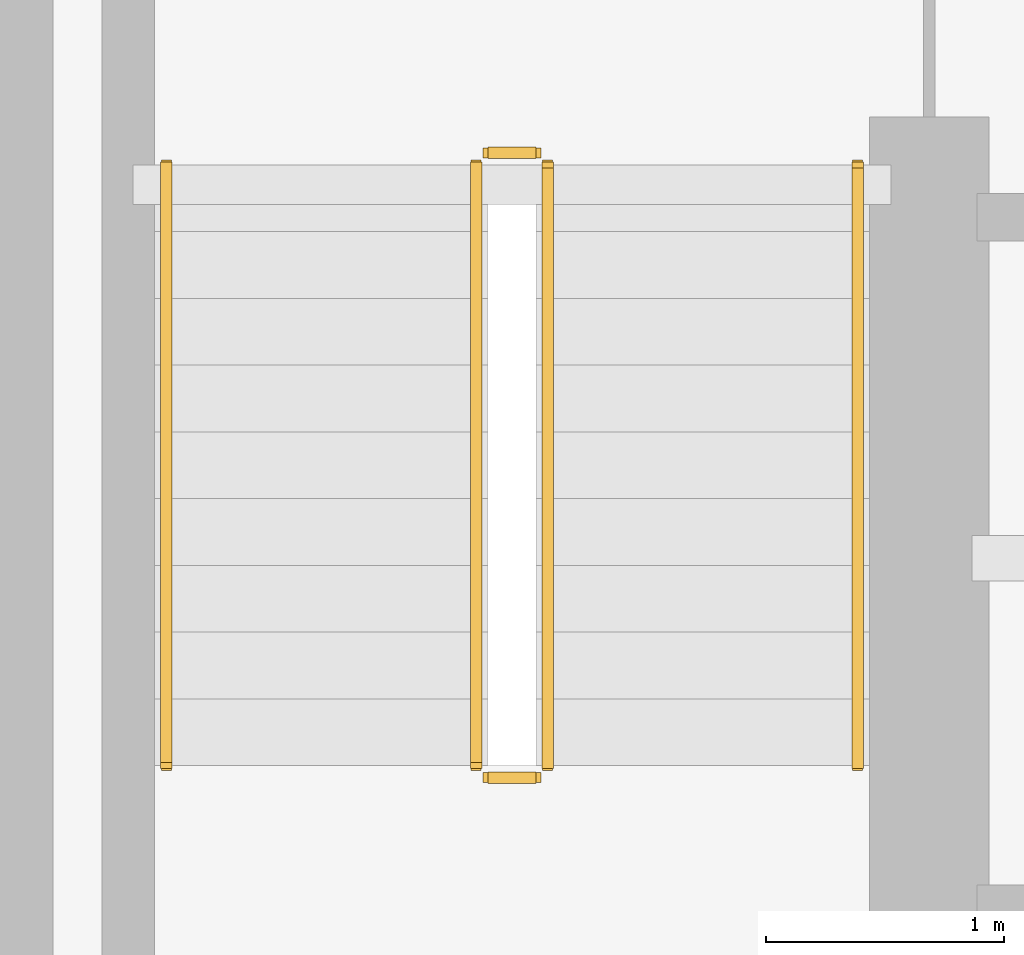
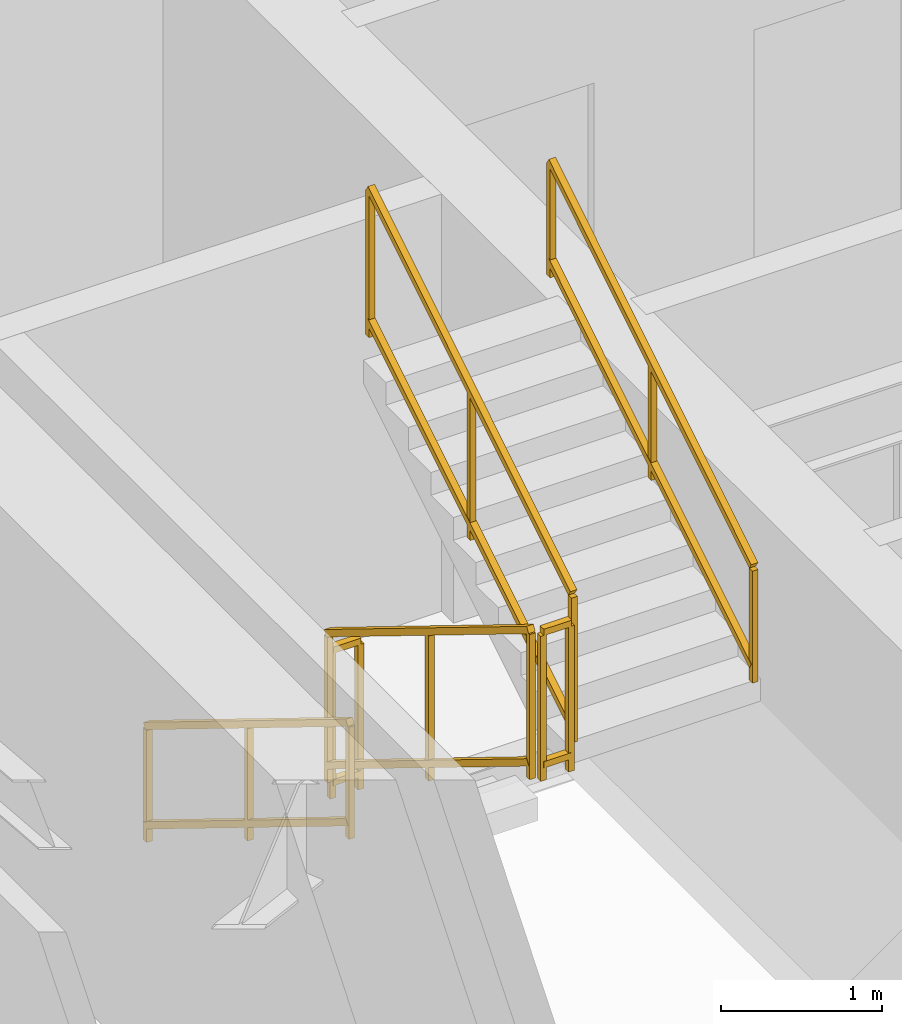
# One storey, part 28 of 31: 6 railings.
"""IFC4 building model written with IfcOpenShell, lengths in metres."""

from ifc_helpers import new_model, si_unit, direction, frame, origin, origin_2d, place, context, subcontext, project, spatial, rectangle, extrude, material, type_object, element, save


model = new_model("IFC4")

# Units and contexts
model_context = context("Model", 3, precision=1e-05, world=origin(), true_north=direction((0.0, 1.0)))
body_context = subcontext(model_context, "Body", "Model", "MODEL_VIEW")
ifc_project = project(units=[si_unit("LENGTHUNIT", "METRE"), si_unit("AREAUNIT", "SQUARE_METRE"), si_unit("VOLUMEUNIT", "CUBIC_METRE"), si_unit("PLANEANGLEUNIT", "RADIAN"), si_unit("MASSUNIT", "GRAM", prefix="KILO")], contexts=[model_context])

# Site, building, storey
site_placement = place(None, origin())
site = spatial("IfcSite", under=ifc_project, at=site_placement, CompositionType="ELEMENT")
building_placement = place(site_placement, origin())
building = spatial("IfcBuilding", under=site, at=building_placement, Name="Qarnah Convention Tower", CompositionType="ELEMENT")
storey_placement = place(building_placement, frame((0.0, 0.0, 64.949951171875)))
storey = spatial("IfcBuildingStorey", under=building, at=storey_placement, Name="L16", CompositionType="ELEMENT", Elevation=64.949951171875)

# Railings
ifc_material = material(Name="Structural steel S355JR", Category="steel")
railing_type_1 = type_object("IfcRailingType", Name="RL-STAIR-GUARD-1150", PredefinedType="GUARDRAIL", material=ifc_material)
railing_1_placement = place(storey_placement, frame((28.89990234375, 25.300048828125, 0.172607421875)))
element("IfcRailing", 1, at=railing_1_placement, inside=storey, type_object=railing_type_1, Name="L16 ST-1 stair guard 1", PredefinedType="GUARDRAIL", context=body_context, shape_type="SweptSolid", body=[
    extrude(rectangle(XDim=0.048095703125, YDim=0.048095703125, at=origin_2d()), frame((0.0, 0.0, 1.1259765625), z_axis=(0.0, -0.851400495292, 0.524516154772), x_axis=(1.0, 0.0, 0.0)), (0.0, 0.0, 1.0), 2.9599609375),
    extrude(rectangle(XDim=0.048095703125, YDim=0.048095703125, at=origin_2d()), frame((0.0, 0.0, 0.1201171875), z_axis=(0.0, -0.851400495292, 0.524516154772), x_axis=(1.0, 0.0, 0.0)), (0.0, 0.0, 1.0), 2.9599609375),
    extrude(rectangle(XDim=0.0419921875, YDim=0.0419921875, at=origin_2d()), origin(), (0.0, 0.0, 1.0), 1.101806640625),
    extrude(rectangle(XDim=0.0419921875, YDim=0.0419921875, at=origin_2d()), frame((0.0, -1.260009765625, 0.7763671875)), (0.0, 0.0, 1.0), 1.101806640625),
    extrude(rectangle(XDim=0.0419921875, YDim=0.0419921875, at=origin_2d()), frame((0.0, -2.52001953125, 1.552490234375)), (0.0, 0.0, 1.0), 1.101806640625),
])
railing_2_placement = place(storey_placement, frame((28.949951171875, 22.72998046875, 1.72509765625)))
element("IfcRailing", 2, at=railing_2_placement, inside=storey, type_object=railing_type_1, Name="L16 ST-1 stair guard 2", PredefinedType="GUARDRAIL", context=body_context, shape_type="SweptSolid", body=[
    extrude(rectangle(XDim=0.048095703125, YDim=0.048095703125, at=origin_2d()), frame((0.0, 0.0, 1.1259765625), z_axis=(1.0, 0.0, 0.0), x_axis=(0.0, 1.0, 0.0)), (0.0, 0.0, 1.0), 0.199951171875),
    extrude(rectangle(XDim=0.048095703125, YDim=0.048095703125, at=origin_2d()), frame((0.0, 0.0, 0.1201171875), z_axis=(1.0, 0.0, 0.0), x_axis=(0.0, 1.0, 0.0)), (0.0, 0.0, 1.0), 0.199951171875),
    extrude(rectangle(XDim=0.0419921875, YDim=0.0419921875, at=origin_2d()), origin(), (0.0, 0.0, 1.0), 1.101806640625),
    extrude(rectangle(XDim=0.0419921875, YDim=0.0419921875, at=origin_2d()), frame((0.199951171875, 0.0, 0.0)), (0.0, 0.0, 1.0), 1.101806640625),
])
railing_3_placement = place(storey_placement, frame((29.199951171875, 22.780029296875, 1.8974609375)))
element("IfcRailing", 3, at=railing_3_placement, inside=storey, type_object=railing_type_1, Name="L16 ST-1 stair guard 3", PredefinedType="GUARDRAIL", context=body_context, shape_type="SweptSolid", body=[
    extrude(rectangle(XDim=0.048095703125, YDim=0.048095703125, at=origin_2d()), frame((0.0, 0.0, 1.1259765625), z_axis=(0.0, 0.851400495292, 0.524516154772), x_axis=(-1.0, 0.0, 0.0)), (0.0, 0.0, 1.0), 2.9599609375),
    extrude(rectangle(XDim=0.048095703125, YDim=0.048095703125, at=origin_2d()), frame((0.0, 0.0, 0.1201171875), z_axis=(0.0, 0.851400495292, 0.524516154772), x_axis=(-1.0, 0.0, 0.0)), (0.0, 0.0, 1.0), 2.9599609375),
    extrude(rectangle(XDim=0.0419921875, YDim=0.0419921875, at=origin_2d()), origin(), (0.0, 0.0, 1.0), 1.101806640625),
    extrude(rectangle(XDim=0.0419921875, YDim=0.0419921875, at=origin_2d()), frame((0.0, 1.260009765625, 0.7763671875)), (0.0, 0.0, 1.0), 1.101806640625),
    extrude(rectangle(XDim=0.0419921875, YDim=0.0419921875, at=origin_2d()), frame((0.0, 2.52001953125, 1.552490234375)), (0.0, 0.0, 1.0), 1.101806640625),
])
railing_4_placement = place(storey_placement, frame((28.949951171875, 25.35009765625, 0.0)))
element("IfcRailing", 4, at=railing_4_placement, inside=storey, type_object=railing_type_1, Name="L16 ST-1 stair guard 4", PredefinedType="GUARDRAIL", context=body_context, shape_type="SweptSolid", body=[
    extrude(rectangle(XDim=0.048095703125, YDim=0.048095703125, at=origin_2d()), frame((0.0, 0.0, 1.1259765625), z_axis=(1.0, 0.0, 0.0), x_axis=(0.0, 1.0, 0.0)), (0.0, 0.0, 1.0), 0.199951171875),
    extrude(rectangle(XDim=0.048095703125, YDim=0.048095703125, at=origin_2d()), frame((0.0, 0.0, 0.1201171875), z_axis=(1.0, 0.0, 0.0), x_axis=(0.0, 1.0, 0.0)), (0.0, 0.0, 1.0), 0.199951171875),
    extrude(rectangle(XDim=0.0419921875, YDim=0.0419921875, at=origin_2d()), origin(), (0.0, 0.0, 1.0), 1.101806640625),
    extrude(rectangle(XDim=0.0419921875, YDim=0.0419921875, at=origin_2d()), frame((0.199951171875, 0.0, 0.0)), (0.0, 0.0, 1.0), 1.101806640625),
])
railing_type_2 = type_object("IfcRailingType", Name="RL-STAIR-HAND-900", PredefinedType="HANDRAIL", material=ifc_material)
railing_5_placement = place(storey_placement, frame((27.60009765625, 25.300048828125, 0.172607421875)))
element("IfcRailing", 5, at=railing_5_placement, inside=storey, type_object=railing_type_2, Name="L16 ST-1 stair handrail 1", PredefinedType="HANDRAIL", context=body_context, shape_type="SweptSolid", body=[
    extrude(rectangle(XDim=0.048095703125, YDim=0.048095703125, at=origin_2d()), frame((0.0, 0.0, 0.8759765625), z_axis=(0.0, -0.851400495292, 0.524516154772), x_axis=(1.0, 0.0, 0.0)), (0.0, 0.0, 1.0), 2.9599609375),
    extrude(rectangle(XDim=0.048095703125, YDim=0.048095703125, at=origin_2d()), frame((0.0, 0.0, 0.1201171875), z_axis=(0.0, -0.851400495292, 0.524516154772), x_axis=(1.0, 0.0, 0.0)), (0.0, 0.0, 1.0), 2.9599609375),
    extrude(rectangle(XDim=0.0419921875, YDim=0.0419921875, at=origin_2d()), origin(), (0.0, 0.0, 1.0), 0.851806640625),
    extrude(rectangle(XDim=0.0419921875, YDim=0.0419921875, at=origin_2d()), frame((0.0, -1.260009765625, 0.7763671875)), (0.0, 0.0, 1.0), 0.851806640625),
    extrude(rectangle(XDim=0.0419921875, YDim=0.0419921875, at=origin_2d()), frame((0.0, -2.52001953125, 1.552490234375)), (0.0, 0.0, 1.0), 0.851806640625),
])
railing_6_placement = place(storey_placement, frame((30.5, 22.780029296875, 1.8974609375)))
element("IfcRailing", 6, at=railing_6_placement, inside=storey, type_object=railing_type_2, Name="L16 ST-1 stair handrail 2", PredefinedType="HANDRAIL", context=body_context, shape_type="SweptSolid", body=[
    extrude(rectangle(XDim=0.048095703125, YDim=0.048095703125, at=origin_2d()), frame((0.0, 0.0, 0.8759765625), z_axis=(0.0, 0.851400495292, 0.524516154772), x_axis=(-1.0, 0.0, 0.0)), (0.0, 0.0, 1.0), 2.9599609375),
    extrude(rectangle(XDim=0.048095703125, YDim=0.048095703125, at=origin_2d()), frame((0.0, 0.0, 0.1201171875), z_axis=(0.0, 0.851400495292, 0.524516154772), x_axis=(-1.0, 0.0, 0.0)), (0.0, 0.0, 1.0), 2.9599609375),
    extrude(rectangle(XDim=0.0419921875, YDim=0.0419921875, at=origin_2d()), origin(), (0.0, 0.0, 1.0), 0.851806640625),
    extrude(rectangle(XDim=0.0419921875, YDim=0.0419921875, at=origin_2d()), frame((0.0, 1.260009765625, 0.7763671875)), (0.0, 0.0, 1.0), 0.851806640625),
    extrude(rectangle(XDim=0.0419921875, YDim=0.0419921875, at=origin_2d()), frame((0.0, 2.52001953125, 1.552490234375)), (0.0, 0.0, 1.0), 0.851806640625),
])

save(model, "model.ifc")
